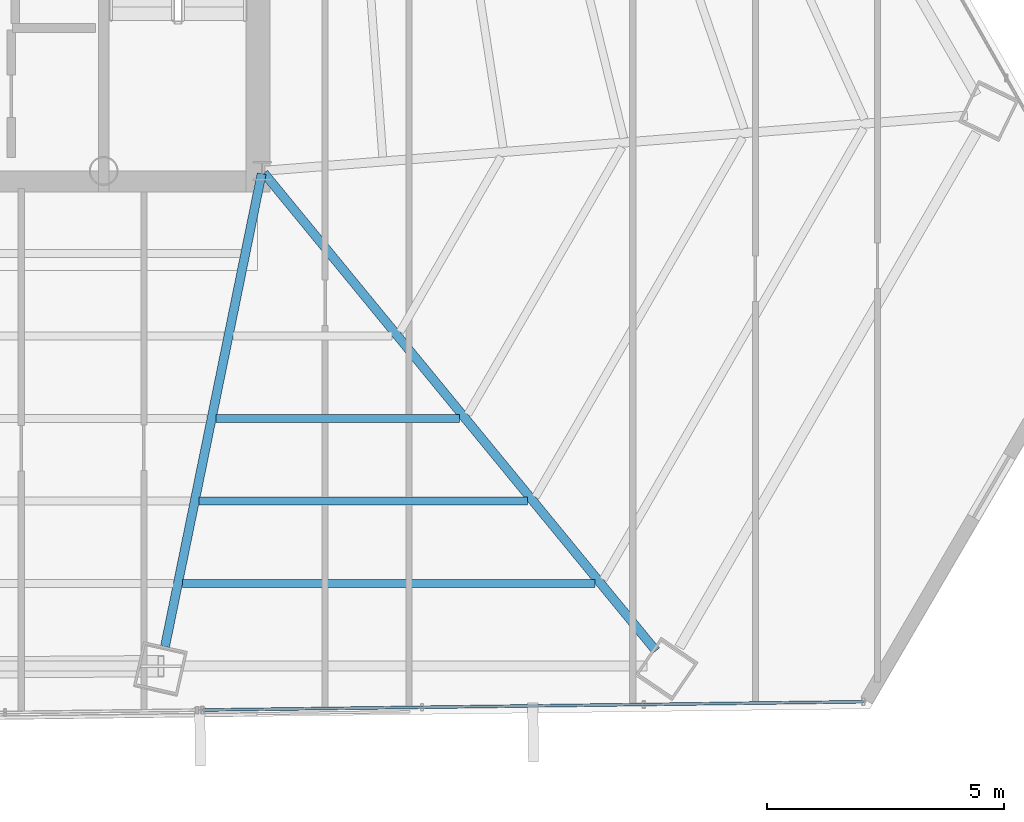
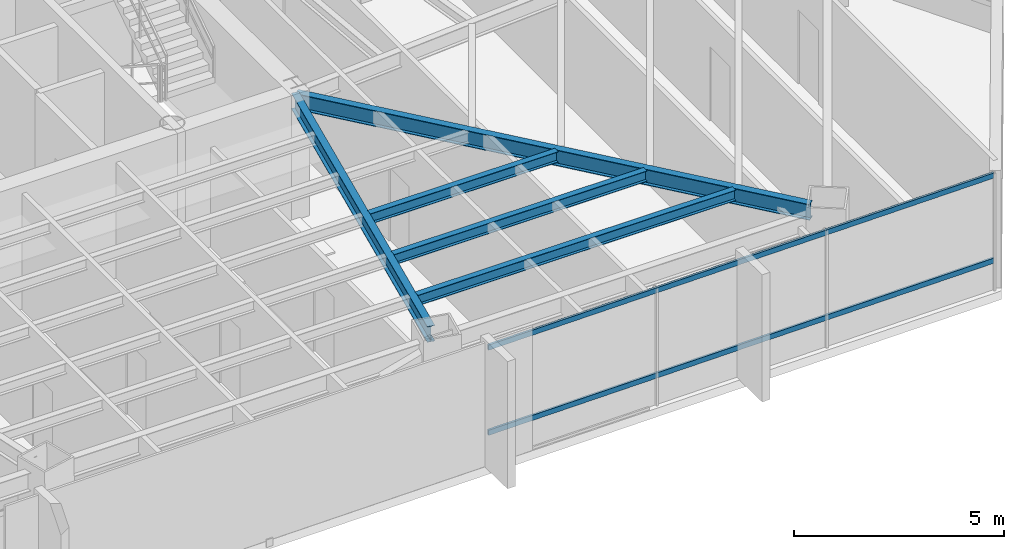
# One storey, part 18 of 42: 5 beams, 2 members, 1 element without a shape of its own.
"""IFC4 building model written with IfcOpenShell, lengths in metres."""

from ifc_helpers import new_model, si_unit, direction, frame, origin, origin_2d, place, context, subcontext, project, spatial, hollow_rectangle, i_section, extrude, source, transform, mapped, material, material_profile, profile_set, type_object, type_shapes, element, aggregate, save


model = new_model("IFC4")

# Units and contexts
model_context = context("Model", 3, precision=1e-05, world=origin(), true_north=direction((0.0, 1.0)))
body_context = subcontext(model_context, "Body", "Model", "MODEL_VIEW")
ifc_project = project(units=[si_unit("LENGTHUNIT", "METRE"), si_unit("AREAUNIT", "SQUARE_METRE"), si_unit("VOLUMEUNIT", "CUBIC_METRE"), si_unit("PLANEANGLEUNIT", "RADIAN"), si_unit("MASSUNIT", "GRAM", prefix="KILO")], contexts=[model_context])

# Site, building, storey
site_placement = place(None, origin())
site = spatial("IfcSite", under=ifc_project, at=site_placement, CompositionType="ELEMENT")
building_placement = place(site_placement, origin())
building = spatial("IfcBuilding", under=site, at=building_placement, Name="Caelisora Broadcast Tower", CompositionType="ELEMENT")
storey_placement = place(building_placement, frame((0.0, 0.0, 131.800048828125)))
storey = spatial("IfcBuildingStorey", under=building, at=storey_placement, Name="L34", CompositionType="ELEMENT", Elevation=131.800048828125)

# Beams
ifc_material_1 = material(Name="Steel Grade 350 (AS/NZS 3679.1)", Category="steel")
ifc_material_profile_1 = material_profile(ifc_material_1, i_section(OverallWidth=0.19091796875, OverallDepth=0.46044921875, WebThickness=0.010009765625, FlangeThickness=0.01611328125, at=origin_2d()), Name="Steel Grade 350 (AS/NZS 3679.1)")
ifc_profile_set_1 = profile_set([ifc_material_profile_1], Name="Steel Grade 350 (AS/NZS 3679.1)")
beam_type_1 = type_object("IfcBeamType", Name="PG06", PredefinedType="BEAM", material=ifc_profile_set_1)
shared_shape_1 = source(origin(), body_context, "Body", "SweptSolid", [
    extrude(i_section(OverallWidth=0.19091796875, OverallDepth=0.46044921875, WebThickness=0.010009765625, FlangeThickness=0.01611328125, at=origin_2d()), origin(), (0.0, 0.0, 1.0), 13.0546875),
])
beam_1_placement = place(storey_placement, frame((45.5380859375, 17.353515625, 3.169677734375), z_axis=(0.6342922519, -0.773093357351, 0.0), x_axis=(0.773093357351, 0.6342922519, 0.0)))
element("IfcBeam", 1, at=beam_1_placement, inside=storey, type_object=beam_type_1, Name="L34 beam PG06", PredefinedType="BEAM", context=body_context, shape_type="MappedRepresentation", body=[
    mapped(shared_shape_1, transform((0.0, 0.0, 0.0), scale=1.0)),
])
shared_shape_2 = source(origin(), body_context, "Body", "SweptSolid", [
    extrude(i_section(OverallWidth=0.19091796875, OverallDepth=0.46044921875, WebThickness=0.010009765625, FlangeThickness=0.01611328125, at=origin_2d()), origin(), (0.0, 0.0, 1.0), 10.2001953125),
])
type_shapes(beam_type_1, [shared_shape_1, shared_shape_2])
beam_2_placement = place(storey_placement, frame((45.488037109375, 17.34130859375, 3.169677734375), z_axis=(-0.200215575743, -0.979751868194, 0.0), x_axis=(0.979751868194, -0.200215575743, 0.0)))
element("IfcBeam", 2, at=beam_2_placement, inside=storey, type_object=beam_type_1, Name="L34 beam PG06", PredefinedType="BEAM", context=body_context, shape_type="MappedRepresentation", body=[
    mapped(shared_shape_2, transform((0.0, 0.0, 0.0), scale=1.0)),
])
ifc_material_profile_2 = material_profile(ifc_material_1, i_section(OverallWidth=0.166015625, OverallDepth=0.30712890625, WebThickness=0.006591796875, FlangeThickness=0.01171875, at=origin_2d()), Name="Steel Grade 350 (AS/NZS 3679.1)")
ifc_profile_set_2 = profile_set([ifc_material_profile_2], Name="Steel Grade 350 (AS/NZS 3679.1)")
beam_type_2 = type_object("IfcBeamType", Name="SB03", PredefinedType="JOIST", material=ifc_profile_set_2)
shared_shape_3 = source(origin(), body_context, "Body", "SweptSolid", [
    extrude(i_section(OverallWidth=0.166015625, OverallDepth=0.30712890625, WebThickness=0.006591796875, FlangeThickness=0.01171875, at=origin_2d()), origin(), (0.0, 0.0, 1.0), 5.146728515625),
])
beam_3_placement = place(storey_placement, frame((44.525390625, 12.168212890625, 3.246337890625), z_axis=(1.0, 0.0, 0.0), x_axis=(0.0, 1.0, 0.0)))
element("IfcBeam", 3, at=beam_3_placement, inside=storey, type_object=beam_type_2, Name="L34 beam SB03", PredefinedType="JOIST", context=body_context, shape_type="MappedRepresentation", body=[
    mapped(shared_shape_3, transform((0.0, 0.0, 0.0), scale=1.0)),
])
shared_shape_4 = source(origin(), body_context, "Body", "SweptSolid", [
    extrude(i_section(OverallWidth=0.166015625, OverallDepth=0.30712890625, WebThickness=0.006591796875, FlangeThickness=0.01171875, at=origin_2d()), origin(), (0.0, 0.0, 1.0), 6.933837890625),
])
beam_4_placement = place(storey_placement, frame((44.1689453125, 10.424072265625, 3.246337890625), z_axis=(1.0, 0.0, 0.0), x_axis=(0.0, 1.0, 0.0)))
element("IfcBeam", 4, at=beam_4_placement, inside=storey, type_object=beam_type_2, Name="L34 beam SB03", PredefinedType="JOIST", context=body_context, shape_type="MappedRepresentation", body=[
    mapped(shared_shape_4, transform((0.0, 0.0, 0.0), scale=1.0)),
])
shared_shape_5 = source(origin(), body_context, "Body", "SweptSolid", [
    extrude(i_section(OverallWidth=0.166015625, OverallDepth=0.30712890625, WebThickness=0.006591796875, FlangeThickness=0.01171875, at=origin_2d()), origin(), (0.0, 0.0, 1.0), 8.72119140625),
])
type_shapes(beam_type_2, [shared_shape_3, shared_shape_4, shared_shape_5])
beam_5_placement = place(storey_placement, frame((43.8125, 8.68017578125, 3.246337890625), z_axis=(1.0, 0.0, 0.0), x_axis=(0.0, 1.0, 0.0)))
element("IfcBeam", 5, at=beam_5_placement, inside=storey, type_object=beam_type_2, Name="L34 beam SB03", PredefinedType="JOIST", context=body_context, shape_type="MappedRepresentation", body=[
    mapped(shared_shape_5, transform((0.0, 0.0, 0.0), scale=1.0)),
])

# Curtain wall, members
ifc_material_2 = material(Name="Unitised Aluminium and Low-E Glass Curtain Wall", Category="glass")
curtain_wall_type = type_object("IfcCurtainWallType", Name="CW-Z3", PredefinedType="NOTDEFINED", material=ifc_material_2)
curtain_wall_placement = place(storey_placement, origin())
curtain_wall = element("IfcCurtainWall", 6, at=curtain_wall_placement, inside=storey, type_object=curtain_wall_type, Name="L34 curtain wall CW-Z3", PredefinedType="NOTDEFINED")
ifc_material_3 = material(Name="Aluminium 6063-T6 Anodised Terracotta Bronze", Category="aluminium")
ifc_material_profile_3 = material_profile(ifc_material_3, hollow_rectangle(XDim=0.06005859375, YDim=0.14990234375, WallThickness=0.00341796875, at=origin_2d()), Name="Aluminium 6063-T6 Anodised Terracotta Bronze")
ifc_profile_set_3 = profile_set([ifc_material_profile_3], Name="Aluminium 6063-T6 Anodised Terracotta Bronze")
member_type = type_object("IfcMemberType", Name="CWT-02", PredefinedType="USERDEFINED", material=ifc_profile_set_3)
shared_shape_6 = source(origin(), body_context, "Body", "SweptSolid", [
    extrude(hollow_rectangle(XDim=0.06005859375, YDim=0.14990234375, WallThickness=0.00341796875, at=origin_2d()), origin(), (0.0, 0.0, 1.0), 13.968017578125),
])
type_shapes(member_type, [shared_shape_6])
member_1_placement = place(storey_placement, frame((58.202880859375, 6.184326171875, 0.849853515625), z_axis=(-0.999921249366, -0.012549703836, 0.0), x_axis=(0.012549703836, -0.999921249366, 0.0)))
member_1 = element("IfcMember", 7, at=member_1_placement, type_object=member_type, Name="L34-CW-B05 transom #1", ObjectType="TRANSOM", PredefinedType="USERDEFINED", context=body_context, shape_type="MappedRepresentation", body=[
    mapped(shared_shape_6, transform((0.0, 0.0, 0.0), scale=1.0)),
])
member_2_placement = place(storey_placement, frame((58.202880859375, 6.184326171875, 3.320068359375), z_axis=(-0.999921249366, -0.012549703836, 0.0), x_axis=(0.012549703836, -0.999921249366, 0.0)))
member_2 = element("IfcMember", 8, at=member_2_placement, type_object=member_type, Name="L34-CW-B05 transom #2", ObjectType="TRANSOM", PredefinedType="USERDEFINED", context=body_context, shape_type="MappedRepresentation", body=[
    mapped(shared_shape_6, transform((0.0, 0.0, 0.0), scale=1.0)),
])
aggregate(curtain_wall, [member_1, member_2])

save(model, "model.ifc")
